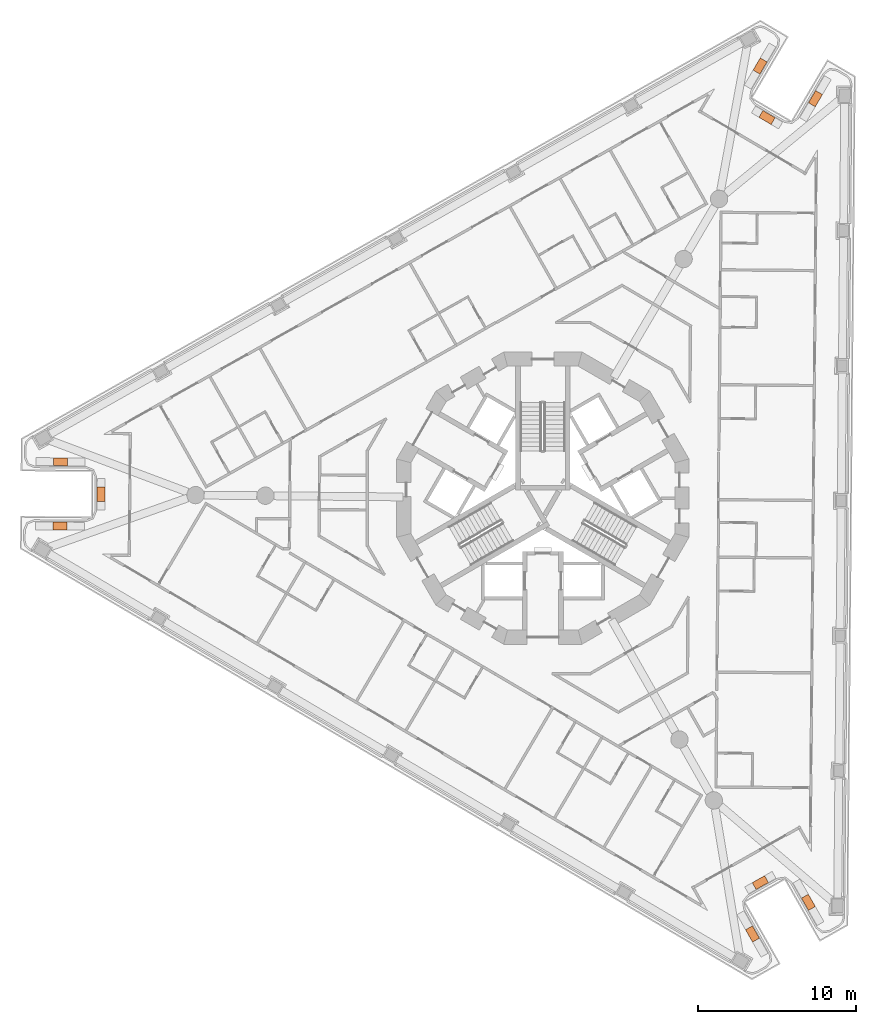
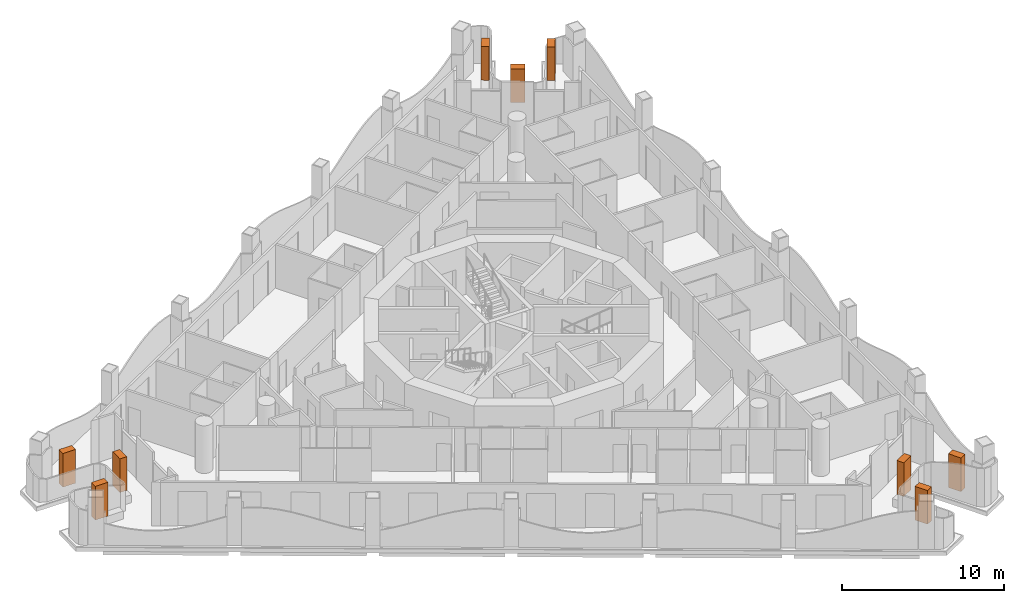
# One storey, part 17 of 17: 9 geographic elements.
"""IFC4 building model written with IfcOpenShell, lengths in metres."""

import ifcopenshell
import ifcopenshell.guid

model = None  # the IFC model being written
_history = None  # IfcOwnerHistory: only IFC2X3 demands one
_inside = {}  # id of a spatial element -> (the spatial element, [elements in it])
_under = {}  # id of a project, library or spatial element -> (it, [spatial elements below it])
_declared = {}  # id of a project -> (the project, [libraries it declares])
_typed = {}  # id of a type object -> (the type object, [elements of that type])
_made_of = {}  # id of a material, layer set ... -> (it, [elements and type objects made of it])


def new_model(schema):
    """Start an empty IFC model of exactly this schema.

    Asked for "IFC4X3", IfcOpenShell would pick the latest addendum, in which some entities
    have other attributes; the version numbers below select the first issue.
    IFC2X3 requires an IfcOwnerHistory on every rooted entity: one is made here for all.
    """
    global model, _history
    if schema == "IFC4X3":
        model = ifcopenshell.file(schema_version=(4, 3, 0, 0))
    else:
        model = ifcopenshell.file(schema=schema)
    _inside.clear()
    _under.clear()
    _declared.clear()
    _typed.clear()
    _made_of.clear()
    _history = None
    if model.schema == "IFC2X3":
        org = make("IfcOrganization", Name="unknown")
        user = make(
            "IfcPersonAndOrganization",
            ThePerson=make("IfcPerson", FamilyName="unknown"),
            TheOrganization=org,
        )
        app = make(
            "IfcApplication",
            ApplicationDeveloper=org,
            Version="unknown",
            ApplicationFullName="unknown",
            ApplicationIdentifier="unknown",
        )
        _history = make(
            "IfcOwnerHistory",
            OwningUser=user,
            OwningApplication=app,
            ChangeAction="ADDED",
            CreationDate=0,
        )
    return model


def make(cls, **values):
    """One entity of the class cls with the attributes given. An attribute that is None is left unset."""
    return model.create_entity(
        cls, **{name: value for name, value in values.items() if value is not None}
    )


def rooted(cls, **values):
    """An entity with a GlobalId (a new one), such as an element, a storey or a relation."""
    return make(cls, GlobalId=ifcopenshell.guid.new(), OwnerHistory=_history, **values)


def si_unit(unit_type, name, prefix=None):
    """IfcSIUnit, for example si_unit("LENGTHUNIT", "METRE", prefix="MILLI")."""
    return make("IfcSIUnit", UnitType=unit_type, Prefix=prefix, Name=name)


def assignment(units):
    """IfcUnitAssignment: the units of a project."""
    return None if units is None else make("IfcUnitAssignment", Units=units)


def point(xyz):
    """IfcCartesianPoint."""
    return None if xyz is None else make("IfcCartesianPoint", Coordinates=xyz)


def direction(xyz):
    """IfcDirection."""
    return None if xyz is None else make("IfcDirection", DirectionRatios=xyz)


def frame(location, z_axis=None, x_axis=None):
    """IfcAxis2Placement3D, a coordinate frame: its origin and axes. An axis left out is left unset."""
    return make(
        "IfcAxis2Placement3D",
        Location=point(location),
        Axis=direction(z_axis),
        RefDirection=direction(x_axis),
    )


def frame_2d(location, x_axis=None):
    """IfcAxis2Placement2D, a coordinate frame in the plane: its origin and x axis."""
    return make(
        "IfcAxis2Placement2D", Location=point(location), RefDirection=direction(x_axis)
    )


def origin():
    """The frame at (0, 0, 0) with its axes left unset."""
    return frame((0.0, 0.0, 0.0))


def origin_2d():
    """The frame at (0, 0) in the plane with its x axis left unset."""
    return frame_2d((0.0, 0.0))


def place(relative_to, where):
    """IfcLocalPlacement: puts the frame where relative to a parent placement (None: the world)."""
    return make(
        "IfcLocalPlacement", PlacementRelTo=relative_to, RelativePlacement=where
    )


def context(
    kind, dimensions, precision=None, world=None, true_north=None, identifier=None
):
    """IfcGeometricRepresentationContext, for example the 3D "Model" context."""
    return make(
        "IfcGeometricRepresentationContext",
        ContextIdentifier=identifier,
        ContextType=kind,
        CoordinateSpaceDimension=dimensions,
        Precision=precision,
        WorldCoordinateSystem=world,
        TrueNorth=true_north,
    )


def subcontext(parent, identifier, kind, view, scale=None):
    """IfcGeometricRepresentationSubContext, for example "Body" below "Model"."""
    return make(
        "IfcGeometricRepresentationSubContext",
        ContextIdentifier=identifier,
        ContextType=kind,
        ParentContext=parent,
        TargetScale=scale,
        TargetView=view,
    )


def project(units=None, contexts=None):
    """IfcProject with its units and contexts."""
    return rooted(
        "IfcProject",
        Name="project",
        RepresentationContexts=contexts,
        UnitsInContext=assignment(units),
    )


def spatial(cls, under=None, at=None, **own):
    """A site, building, storey or space (cls), placed at a placement, below another one or the project."""
    s = rooted(cls, ObjectPlacement=at, **own)
    if under is not None:
        _under.setdefault(under.id(), (under, []))[1].append(s)
    return s


def profile(cls, at=None, kind="AREA", **sizes):
    """A parametric profile (cls). Its sizes go by their IFC names, for example OverallWidth=200.0."""
    return make(cls, ProfileType=kind, Position=at, **sizes)


def rectangle(**sizes):
    """IfcRectangleProfileDef."""
    return profile("IfcRectangleProfileDef", **sizes)


def extrude(swept, where, along, depth):
    """IfcExtrudedAreaSolid: the profile swept, set in the frame where, extruded along a direction by depth."""
    return make(
        "IfcExtrudedAreaSolid",
        SweptArea=swept,
        Position=where,
        ExtrudedDirection=direction(along),
        Depth=depth,
    )


def shape(context_of_items, identifier, shape_type, items):
    """IfcShapeRepresentation: the items that make up one representation, for example the "Body"."""
    return make(
        "IfcShapeRepresentation",
        ContextOfItems=context_of_items,
        RepresentationIdentifier=identifier,
        RepresentationType=shape_type,
        Items=items,
    )


def made_of(thing, what):
    """Note that an element or type object is made of a material, layer set ...; save() writes the relation."""
    if what is not None:
        _made_of.setdefault(what.id(), (what, []))[1].append(thing)
    return thing


def element(
    cls,
    number,
    at=None,
    inside=None,
    cuts=None,
    type_object=None,
    material=None,
    context=None,
    identifier="Body",
    shape_type=None,
    held_by="IfcProductDefinitionShape",
    body=None,
    shapes=None,
    **own,
):
    """One element of the class cls, such as IfcWall. Its Tag is "e" and its number.

    at: its placement. inside: the storey or other place that contains it. cuts: it is an
    opening in that element (IfcRelVoidsElement). A single representation is given by context,
    identifier, shape_type and body (its items); several are given by shapes. held_by: the class
    of the entity that holds the representations. save() writes the other relations.
    """
    e = rooted(cls, Tag="e%d" % number, ObjectPlacement=at, **own)
    if body is not None:
        shapes = [shape(context, identifier, shape_type, body)]
    if shapes is not None:
        e.Representation = make(held_by, Representations=shapes)
    if inside is not None:
        _inside.setdefault(inside.id(), (inside, []))[1].append(e)
    if cuts is not None:
        rooted(
            "IfcRelVoidsElement", RelatingBuildingElement=cuts, RelatedOpeningElement=e
        )
    if type_object is not None:
        _typed.setdefault(type_object.id(), (type_object, []))[1].append(e)
    return made_of(e, material)


def aggregate(whole, parts):
    """IfcRelAggregates: a whole, such as a stair, and the parts it consists of."""
    return rooted("IfcRelAggregates", RelatingObject=whole, RelatedObjects=parts)


def save(model, path):
    """Write the relations noted so far, then the file.

    IfcRelAggregates (storeys below a building ...), IfcRelContainedInSpatialStructure (elements
    in a storey), IfcRelDefinesByType, IfcRelAssociatesMaterial and IfcRelDeclares: one each for
    every whole, place, type object, material and project.
    """
    for whole, parts in _under.values():
        aggregate(whole, parts)
    for where, things in _inside.values():
        rooted(
            "IfcRelContainedInSpatialStructure",
            RelatedElements=things,
            RelatingStructure=where,
        )
    for kind, things in _typed.values():
        rooted("IfcRelDefinesByType", RelatedObjects=things, RelatingType=kind)
    for what, things in _made_of.values():
        rooted("IfcRelAssociatesMaterial", RelatedObjects=things, RelatingMaterial=what)
    for by, libraries in _declared.values():
        rooted("IfcRelDeclares", RelatingContext=by, RelatedDefinitions=libraries)
    model.write(path)


model = new_model("IFC4")

# Units and contexts
model_context = context("Model", 3, precision=1e-05, world=origin(), true_north=direction((0.0, 1.0)))
body_context = subcontext(model_context, "Body", "Model", "MODEL_VIEW")
ifc_project = project(units=[si_unit("LENGTHUNIT", "METRE"), si_unit("AREAUNIT", "SQUARE_METRE"), si_unit("VOLUMEUNIT", "CUBIC_METRE"), si_unit("PLANEANGLEUNIT", "RADIAN"), si_unit("MASSUNIT", "GRAM", prefix="KILO")], contexts=[model_context])

# Site, building, storey
site_placement = place(None, origin())
site = spatial("IfcSite", under=ifc_project, at=site_placement, CompositionType="ELEMENT")
building_placement = place(site_placement, origin())
building = spatial("IfcBuilding", under=site, at=building_placement, Name="Trine Commons Tower", CompositionType="ELEMENT")
storey_placement = place(building_placement, frame((0.0, 0.0, 168.300048828125)))
storey = spatial("IfcBuildingStorey", under=building, at=storey_placement, Name="L43", CompositionType="ELEMENT", Elevation=168.300048828125)

# Geographic elements
for number, where, z_axis, x_axis, name in (
    (1, (49.3583984375, 60.727294921875, 0.60009765625), (0.0, 0.0, 1.0), (0.999961923064, -0.008726535498, 0.0), "Tree 1.1"),
    (2, (51.966064453125, 62.74462890625, 0.60009765625), (0.0, 0.0, 1.0), (0.008726535498, 0.999961923064, 0.0), "Tree 2.1"),
    (3, (49.393798828125, 64.80712890625, 0.60009765625), (0.0, 0.0, 1.0), (-0.999961923064, 0.008726535498, 0.0), "Tree 3.1"),
    (4, (93.78564453125, 89.9228515625, 0.60009765625), (0.0, 0.0, 1.0), (-0.507539866787, -0.861628274619, 0.0), "Tree 4.1"),
    (5, (94.228759765625, 86.65576171875, 0.60009765625), (0.0, 0.0, 1.0), (0.861628274619, -0.507539866787, 0.0), "Tree 5.1"),
    (6, (97.301025390625, 87.85205078125, 0.60009765625), (0.0, 0.0, 1.0), (0.507539866787, 0.861628274619, 0.0), "Tree 6.1"),
    (7, (96.85595703125, 36.849853515625, 0.60009765625), (0.0, 0.0, 1.0), (-0.492420521986, 0.870357414817, 0.0), "Tree 7.1"),
    (8, (93.80517578125, 38.099609375, 0.60009765625), (0.0, 0.0, 1.0), (-0.870333349571, -0.492463055085, 0.0), "Tree 8.1"),
    (9, (93.304931640625, 34.8408203125, 0.60009765625), (0.0, 0.0, 1.0), (0.492420521986, -0.870357414817, 0.0), "Tree 9.1"),
):
    element("IfcGeographicElement", number, at=place(storey_placement, frame(where, z_axis=z_axis, x_axis=x_axis)), inside=storey, Name=name, ObjectType="TREE Tabebuia rosea", PredefinedType="USERDEFINED", context=body_context, shape_type="SweptSolid", body=[
        extrude(rectangle(XDim=0.89990234375, YDim=0.5, at=origin_2d()), origin(), (0.0, 0.0, 1.0), 2.550048828125),
    ])

save(model, "model.ifc")
